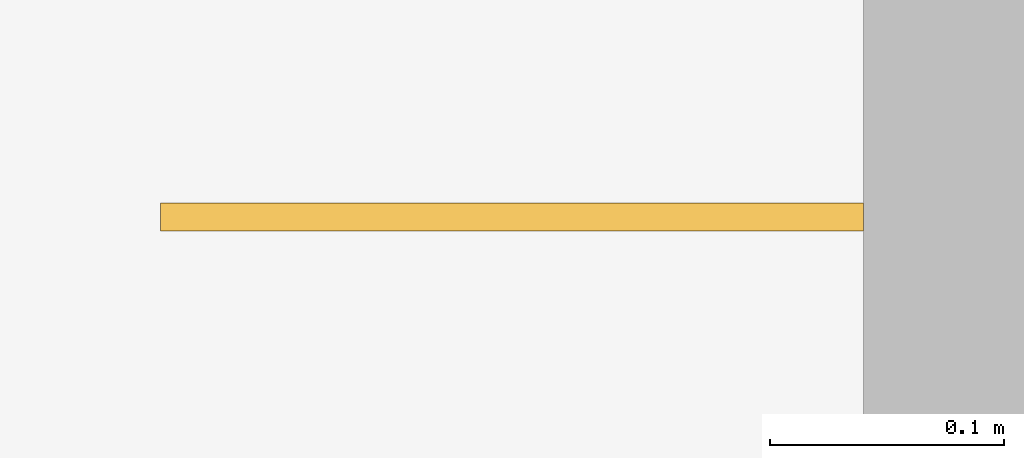
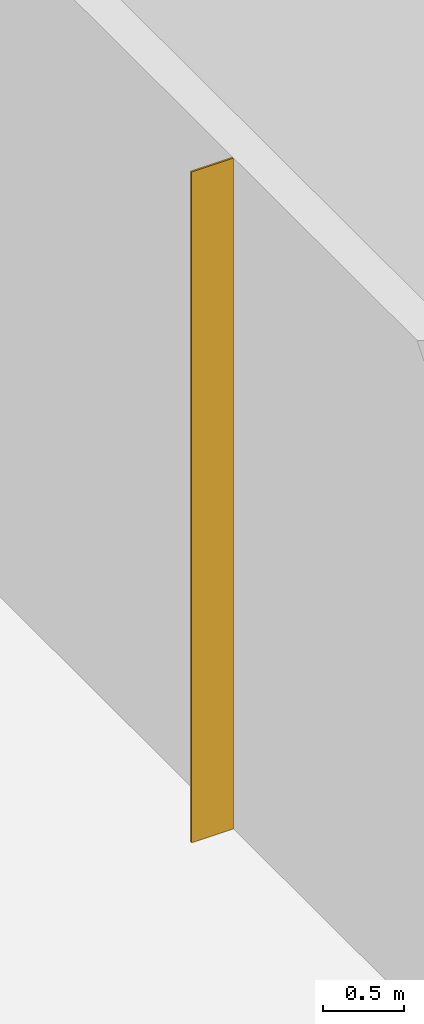
# One storey, part 58 of 76: 1 shading device.
"""IFC4 building model written with IfcOpenShell, lengths in metres."""

from ifc_helpers import new_model, si_unit, direction, frame, origin, origin_2d, place, context, subcontext, project, spatial, rectangle, extrude, material, layer, layer_set, type_object, element, save


model = new_model("IFC4")

# Units and contexts
model_context = context("Model", 3, precision=1e-05, world=origin(), true_north=direction((0.0, 1.0)))
body_context = subcontext(model_context, "Body", "Model", "MODEL_VIEW")
ifc_project = project(units=[si_unit("LENGTHUNIT", "METRE"), si_unit("AREAUNIT", "SQUARE_METRE"), si_unit("VOLUMEUNIT", "CUBIC_METRE"), si_unit("PLANEANGLEUNIT", "RADIAN"), si_unit("MASSUNIT", "GRAM", prefix="KILO")], contexts=[model_context])

# Site, building, storey
site_placement = place(None, origin())
site = spatial("IfcSite", under=ifc_project, at=site_placement, CompositionType="ELEMENT")
building_placement = place(site_placement, origin())
building = spatial("IfcBuilding", under=site, at=building_placement, Name="Hlaing Beacon Police Headquarters", CompositionType="ELEMENT")
storey_placement = place(building_placement, origin())
storey = spatial("IfcBuildingStorey", under=building, at=storey_placement, Name="L00", CompositionType="ELEMENT", Elevation=0.0)

# Shading device
ifc_material = material(Name="Aluminium 6063-T5 anodised", Category="aluminium")
ifc_layer = layer(ifc_material, 0.011962890625)
ifc_layer_set = layer_set([ifc_layer], Name="Aluminium 6063-T5 anodised")
shading_device_type = type_object("IfcShadingDeviceType", Name="Aluminium fin 12x300", PredefinedType="JALOUSIE", material=ifc_layer_set)
shading_device_placement = place(storey_placement, frame((8.14990234375, 29.39990234375, 0.0), z_axis=(0.0, 0.0, 1.0), x_axis=(0.0, -1.0, 0.0)))
element("IfcShadingDevice", 1, at=shading_device_placement, inside=storey, type_object=shading_device_type, Name="Fin L00 W004", PredefinedType="JALOUSIE", context=body_context, shape_type="SweptSolid", body=[
    extrude(rectangle(XDim=0.011962890625, YDim=0.300048828125, at=origin_2d()), origin(), (0.0, 0.0, 1.0), 5.050048828125),
])

save(model, "model.ifc")
